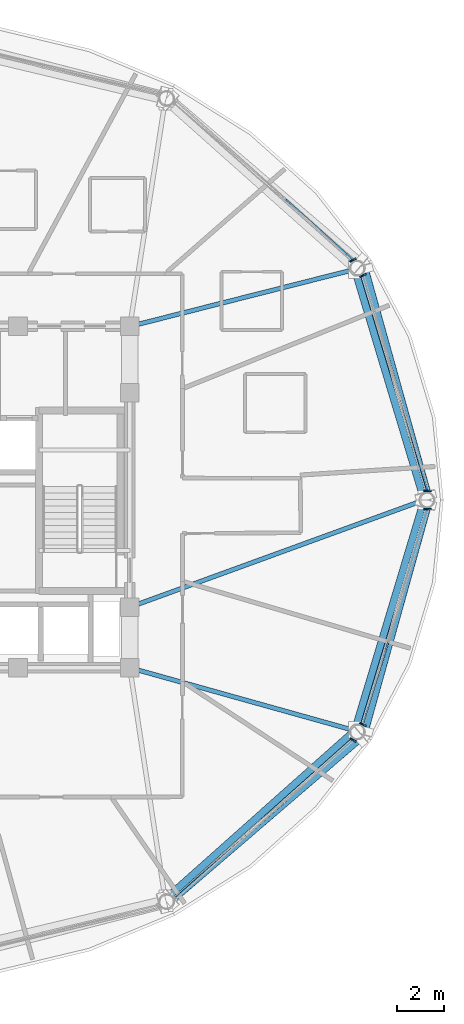
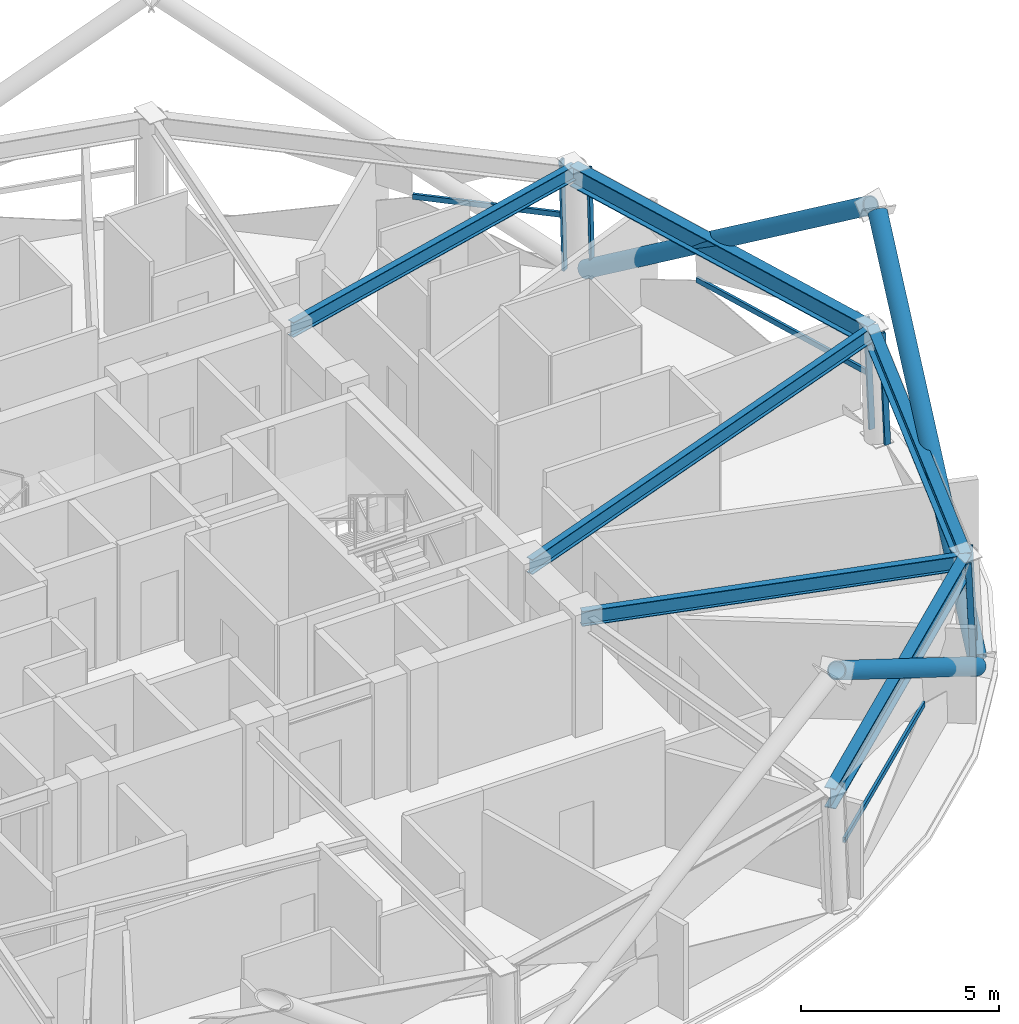
# One storey, part 3 of 14: 13 members, 6 beams, 4 elements without a shape of their own.
"""IFC4 building model written with IfcOpenShell, lengths in metres."""

from ifc_helpers import new_model, si_unit, direction, frame, origin, origin_2d, place, context, subcontext, project, spatial, hollow_rectangle, hollow_circle, i_section, extrude, material, layer, layer_set, material_profile, profile_set, type_object, element, aggregate, save


model = new_model("IFC4")

# Units and contexts
model_context = context("Model", 3, precision=1e-05, world=origin(), true_north=direction((0.0, 1.0)))
body_context = subcontext(model_context, "Body", "Model", "MODEL_VIEW")
ifc_project = project(units=[si_unit("LENGTHUNIT", "METRE"), si_unit("AREAUNIT", "SQUARE_METRE"), si_unit("VOLUMEUNIT", "CUBIC_METRE"), si_unit("PLANEANGLEUNIT", "RADIAN"), si_unit("MASSUNIT", "GRAM", prefix="KILO")], contexts=[model_context])

# Site, building, storey
site_placement = place(None, origin())
site = spatial("IfcSite", under=ifc_project, at=site_placement, CompositionType="ELEMENT")
building_placement = place(site_placement, origin())
building = spatial("IfcBuilding", under=site, at=building_placement, Name="Vantalir Tower", CompositionType="ELEMENT")
storey_placement = place(building_placement, frame((0.0, 0.0, 204.89990234375)))
storey = spatial("IfcBuildingStorey", under=building, at=storey_placement, Name="L51", CompositionType="ELEMENT", Elevation=204.89990234375)

# Beams
ifc_material_1 = material(Name="Steel S355", Category="steel")
ifc_material_profile_1 = material_profile(ifc_material_1, i_section(OverallWidth=0.19189453125, OverallDepth=0.462890625, WebThickness=0.010498046875, FlangeThickness=0.017578125, at=origin_2d()), Name="Steel S355")
ifc_profile_set_1 = profile_set([ifc_material_profile_1], Name="Steel S355")
beam_type_1 = type_object("IfcBeamType", Name="BM-RB-457x191", PredefinedType="BEAM", material=ifc_profile_set_1)
beam_1_placement = place(storey_placement, frame((53.73388671875, 25.0, 3.338134765625), z_axis=(-0.939650196162, -0.342136681535, 0.0), x_axis=(0.342136681535, -0.939650196162, 0.0)))
element("IfcBeam", 1, at=beam_1_placement, inside=storey, type_object=beam_type_1, Name="L51 Radial Floor Beam 01", PredefinedType="BEAM", context=body_context, shape_type="SweptSolid", body=[
    extrude(i_section(OverallWidth=0.19189453125, OverallDepth=0.462890625, WebThickness=0.010498046875, FlangeThickness=0.017578125, at=origin_2d()), origin(), (0.0, 0.0, 1.0), 13.4453125),
])
beam_2_placement = place(storey_placement, frame((50.7548828125, 34.89599609375, 3.338134765625), z_axis=(-0.969373469219, -0.245591280739, 0.0), x_axis=(0.245591280739, -0.969373469219, 0.0)))
element("IfcBeam", 2, at=beam_2_placement, inside=storey, type_object=beam_type_1, Name="L51 Radial Floor Beam 02", PredefinedType="BEAM", context=body_context, shape_type="SweptSolid", body=[
    extrude(i_section(OverallWidth=0.19189453125, OverallDepth=0.462890625, WebThickness=0.010498046875, FlangeThickness=0.017578125, at=origin_2d()), origin(), (0.0, 0.0, 1.0), 9.959716796875),
])
beam_3_placement = place(storey_placement, frame((50.7548828125, 15.10302734375, 3.338134765625), z_axis=(-0.963127495216, 0.269045401296, 0.0), x_axis=(-0.269045401296, -0.963127495216, 0.0)))
element("IfcBeam", 3, at=beam_3_placement, inside=storey, type_object=beam_type_1, Name="L51 Radial Floor Beam 12", PredefinedType="BEAM", context=body_context, shape_type="SweptSolid", body=[
    extrude(i_section(OverallWidth=0.19189453125, OverallDepth=0.462890625, WebThickness=0.010498046875, FlangeThickness=0.017578125, at=origin_2d()), origin(), (0.0, 0.0, 1.0), 10.0244140625),
])
ifc_material_2 = material(Name="Steel S460", Category="steel")
ifc_material_profile_2 = material_profile(ifc_material_2, i_section(OverallWidth=0.306884765625, OverallDepth=0.6201171875, WebThickness=0.01416015625, FlangeThickness=0.023681640625, at=origin_2d()), Name="Steel S460")
ifc_profile_set_2 = profile_set([ifc_material_profile_2], Name="Steel S460")
beam_type_2 = type_object("IfcBeamType", Name="BM-RG-610x305", PredefinedType="USERDEFINED", material=ifc_profile_set_2)
beam_4_placement = place(storey_placement, frame((53.73388671875, 25.0, 3.260009765625), z_axis=(-0.288253684932, 0.957554078433, 0.0), x_axis=(-0.957554078433, -0.288253684932, 0.0)))
element("IfcBeam", 4, at=beam_4_placement, inside=storey, type_object=beam_type_2, Name="L51 Circumferential Ring Girder 01", ObjectType="GIRDER", PredefinedType="USERDEFINED", context=body_context, shape_type="SweptSolid", body=[
    extrude(i_section(OverallWidth=0.306884765625, OverallDepth=0.6201171875, WebThickness=0.01416015625, FlangeThickness=0.023681640625, at=origin_2d()), origin(), (0.0, 0.0, 1.0), 10.334716796875),
])
beam_5_placement = place(storey_placement, frame((42.616943359375, 7.85888671875, 3.260009765625), z_axis=(0.746934381919, 0.664897758387, 0.0), x_axis=(-0.664897758387, 0.746934381919, 0.0)))
element("IfcBeam", 5, at=beam_5_placement, inside=storey, type_object=beam_type_2, Name="L51 Circumferential Ring Girder 11", ObjectType="GIRDER", PredefinedType="USERDEFINED", context=body_context, shape_type="SweptSolid", body=[
    extrude(i_section(OverallWidth=0.306884765625, OverallDepth=0.6201171875, WebThickness=0.01416015625, FlangeThickness=0.023681640625, at=origin_2d()), origin(), (0.0, 0.0, 1.0), 10.89501953125),
])
beam_6_placement = place(storey_placement, frame((50.7548828125, 15.10302734375, 3.260009765625), z_axis=(0.288227605117, 0.957561928884, 0.0), x_axis=(-0.957561928884, 0.288227605117, 0.0)))
element("IfcBeam", 6, at=beam_6_placement, inside=storey, type_object=beam_type_2, Name="L51 Circumferential Ring Girder 12", ObjectType="GIRDER", PredefinedType="USERDEFINED", context=body_context, shape_type="SweptSolid", body=[
    extrude(i_section(OverallWidth=0.306884765625, OverallDepth=0.6201171875, WebThickness=0.01416015625, FlangeThickness=0.023681640625, at=origin_2d()), origin(), (0.0, 0.0, 1.0), 10.335693359375),
])

# Curtain wall, members
ifc_material_3 = material(Name="Champagne-silver PVDF aluminium and double-silver Low-E glass", Category="aluminium")
ifc_layer = layer(ifc_material_3, 0.2099609375)
ifc_layer_set = layer_set([ifc_layer], Name="Champagne-silver PVDF aluminium and double-silver Low-E glass")
curtain_wall_type = type_object("IfcCurtainWallType", Name="CW-DIAMOND-Z3", PredefinedType="USERDEFINED", material=ifc_layer_set)
curtain_wall_1_placement = place(storey_placement, origin())
curtain_wall_1 = element("IfcCurtainWall", 7, at=curtain_wall_1_placement, inside=storey, type_object=curtain_wall_type, Name="L51 Quilted Pyramid-Diamond Curtain Wall S01", ObjectType="UNITISED CURTAIN WALL", PredefinedType="USERDEFINED")
ifc_material_4 = material(Name="Champagne-silver PVDF aluminium 6063-T6", Category="aluminium")
ifc_material_profile_3 = material_profile(ifc_material_4, hollow_rectangle(XDim=0.070068359375, YDim=0.1650390625, WallThickness=0.00390625, at=origin_2d()), Name="Champagne-silver PVDF aluminium 6063-T6")
ifc_profile_set_3 = profile_set([ifc_material_profile_3], Name="Champagne-silver PVDF aluminium 6063-T6")
member_type_1 = type_object("IfcMemberType", Name="CWM-165x70", PredefinedType="MULLION", material=ifc_profile_set_3)
member_1_placement = place(storey_placement, frame((53.9541015625, 25.39306640625, 0.045166015625), z_axis=(-0.042545977798, 0.0, 0.99909450993), x_axis=(0.0, -1.0, 0.0)))
member_1 = element("IfcMember", 8, at=member_1_placement, type_object=member_type_1, Name="CW-L51-S01 Mullion 1", PredefinedType="MULLION", context=body_context, shape_type="SweptSolid", body=[
    extrude(hollow_rectangle(XDim=0.070068359375, YDim=0.1650390625, WallThickness=0.00390625, at=origin_2d()), origin(), (0.0, 0.0, 1.0), 3.483154296875),
])
member_2_placement = place(storey_placement, frame((51.166015625, 34.6650390625, 0.045166015625), z_axis=(-0.036729969978, -0.019276224702, 0.999139297829), x_axis=(0.464701423558, -0.885467439798, 0.0)))
member_2 = element("IfcMember", 9, at=member_2_placement, type_object=member_type_1, Name="CW-L51-S01 Mullion 2", PredefinedType="MULLION", context=body_context, shape_type="SweptSolid", body=[
    extrude(hollow_rectangle(XDim=0.070068359375, YDim=0.1650390625, WallThickness=0.00390625, at=origin_2d()), origin(), (0.0, 0.0, 1.0), 3.48291015625),
])

# Curtain wall, member
curtain_wall_2_placement = place(storey_placement, origin())
curtain_wall_2 = element("IfcCurtainWall", 10, at=curtain_wall_2_placement, inside=storey, type_object=curtain_wall_type, Name="L51 Quilted Pyramid-Diamond Curtain Wall S02", ObjectType="UNITISED CURTAIN WALL", PredefinedType="USERDEFINED")
member_3_placement = place(storey_placement, frame((50.741943359375, 35.3310546875, 0.045166015625), z_axis=(-0.036729969978, -0.019276224702, 0.999139297829), x_axis=(0.464701423558, -0.885467439798, 0.0)))
member_3 = element("IfcMember", 11, at=member_3_placement, type_object=member_type_1, Name="CW-L51-S02 Mullion 1", PredefinedType="MULLION", context=body_context, shape_type="SweptSolid", body=[
    extrude(hollow_rectangle(XDim=0.070068359375, YDim=0.1650390625, WallThickness=0.00390625, at=origin_2d()), origin(), (0.0, 0.0, 1.0), 3.48291015625),
])

curtain_wall_3_placement = place(storey_placement, origin())
curtain_wall_3 = element("IfcCurtainWall", 12, at=curtain_wall_3_placement, inside=storey, type_object=curtain_wall_type, Name="L51 Quilted Pyramid-Diamond Curtain Wall S11", ObjectType="UNITISED CURTAIN WALL", PredefinedType="USERDEFINED")
member_4_placement = place(storey_placement, frame((50.741943359375, 14.6689453125, 0.045166015625), z_axis=(-0.03673016705, 0.018995945173, 0.999144658643), x_axis=(-0.45937680343, -0.888241494454, 0.0)))
member_4 = element("IfcMember", 13, at=member_4_placement, type_object=member_type_1, Name="CW-L51-S11 Mullion 2", PredefinedType="MULLION", context=body_context, shape_type="SweptSolid", body=[
    extrude(hollow_rectangle(XDim=0.070068359375, YDim=0.1650390625, WallThickness=0.00390625, at=origin_2d()), origin(), (0.0, 0.0, 1.0), 3.48291015625),
])

# Curtain wall, members
curtain_wall_4_placement = place(storey_placement, origin())
curtain_wall_4 = element("IfcCurtainWall", 14, at=curtain_wall_4_placement, inside=storey, type_object=curtain_wall_type, Name="L51 Quilted Pyramid-Diamond Curtain Wall S12", ObjectType="UNITISED CURTAIN WALL", PredefinedType="USERDEFINED")
member_5_placement = place(storey_placement, frame((51.166015625, 15.3349609375, 0.045166015625), z_axis=(-0.036730215867, 0.018925874588, 0.999145986587), x_axis=(-0.458037839434, -0.888932695791, 0.0)))
member_5 = element("IfcMember", 15, at=member_5_placement, type_object=member_type_1, Name="CW-L51-S12 Mullion 1", PredefinedType="MULLION", context=body_context, shape_type="SweptSolid", body=[
    extrude(hollow_rectangle(XDim=0.070068359375, YDim=0.1650390625, WallThickness=0.00390625, at=origin_2d()), origin(), (0.0, 0.0, 1.0), 3.48291015625),
])
member_6_placement = place(storey_placement, frame((53.9541015625, 24.60693359375, 0.045166015625), z_axis=(-0.042545977798, 0.0, 0.99909450993), x_axis=(0.0, -1.0, 0.0)))
member_6 = element("IfcMember", 16, at=member_6_placement, type_object=member_type_1, Name="CW-L51-S12 Mullion 2", PredefinedType="MULLION", context=body_context, shape_type="SweptSolid", body=[
    extrude(hollow_rectangle(XDim=0.070068359375, YDim=0.1650390625, WallThickness=0.00390625, at=origin_2d()), origin(), (0.0, 0.0, 1.0), 3.483154296875),
])

# Member
ifc_material_profile_4 = material_profile(ifc_material_4, hollow_rectangle(XDim=0.074951171875, YDim=0.159912109375, WallThickness=0.00390625, at=origin_2d()), Name="Champagne-silver PVDF aluminium 6063-T6")
ifc_profile_set_4 = profile_set([ifc_material_profile_4], Name="Champagne-silver PVDF aluminium 6063-T6")
member_type_2 = type_object("IfcMemberType", Name="CWT-160x75", PredefinedType="USERDEFINED", material=ifc_profile_set_4)
member_7_placement = place(storey_placement, frame((53.8798828125, 25.39306640625, 1.78515625), z_axis=(-0.284050805957, 0.958809230053, 0.0), x_axis=(-0.958809230053, -0.284050805957, 0.0)))
member_7 = element("IfcMember", 17, at=member_7_placement, type_object=member_type_2, Name="CW-L51-S01 Pyramid Fold Ridge Transom", ObjectType="TRANSOM", PredefinedType="USERDEFINED", context=body_context, shape_type="SweptSolid", body=[
    extrude(hollow_rectangle(XDim=0.074951171875, YDim=0.159912109375, WallThickness=0.00390625, at=origin_2d()), origin(), (0.0, 0.0, 1.0), 5.981201171875),
])

aggregate(curtain_wall_1, [member_1, member_2, member_7])

member_8_placement = place(storey_placement, frame((50.677978515625, 35.297119140625, 1.78515625), z_axis=(-0.742548222885, 0.669792607223, 0.0), x_axis=(-0.669792607223, -0.742548222885, 0.0)))
member_8 = element("IfcMember", 18, at=member_8_placement, type_object=member_type_2, Name="CW-L51-S02 Pyramid Fold Ridge Transom", ObjectType="TRANSOM", PredefinedType="USERDEFINED", context=body_context, shape_type="SweptSolid", body=[
    extrude(hollow_rectangle(XDim=0.074951171875, YDim=0.159912109375, WallThickness=0.00390625, at=origin_2d()), origin(), (0.0, 0.0, 1.0), 3.875732421875),
])

aggregate(curtain_wall_2, [member_3, member_8])

member_9_placement = place(storey_placement, frame((43.054931640625, 7.909912109375, 1.78515625), z_axis=(0.749118671403, 0.662435820405, 0.0), x_axis=(-0.662435820405, 0.749118671403, 0.0)))
member_9 = element("IfcMember", 19, at=member_9_placement, type_object=member_type_2, Name="CW-L51-S11 Pyramid Fold Ridge Transom", ObjectType="TRANSOM", PredefinedType="USERDEFINED", context=body_context, shape_type="SweptSolid", body=[
    extrude(hollow_rectangle(XDim=0.074951171875, YDim=0.159912109375, WallThickness=0.00390625, at=origin_2d()), origin(), (0.0, 0.0, 1.0), 6.334228515625),
])

aggregate(curtain_wall_3, [member_4, member_9])

member_10_placement = place(storey_placement, frame((51.10205078125, 15.367919921875, 1.78515625), z_axis=(0.294249613472, 0.955728604245, 0.0), x_axis=(-0.955728604245, 0.294249613472, 0.0)))
member_10 = element("IfcMember", 20, at=member_10_placement, type_object=member_type_2, Name="CW-L51-S12 Pyramid Fold Ridge Transom", ObjectType="TRANSOM", PredefinedType="USERDEFINED", context=body_context, shape_type="SweptSolid", body=[
    extrude(hollow_rectangle(XDim=0.074951171875, YDim=0.159912109375, WallThickness=0.00390625, at=origin_2d()), origin(), (0.0, 0.0, 1.0), 3.66650390625),
])

aggregate(curtain_wall_4, [member_5, member_6, member_10])

# Members
ifc_material_profile_5 = material_profile(ifc_material_2, hollow_circle(Radius=0.25, WallThickness=0.031982421875, at=origin_2d()), Name="Steel S460")
ifc_profile_set_5 = profile_set([ifc_material_profile_5], Name="Steel S460")
member_type_3 = type_object("IfcMemberType", Name="MEM-DB-500x32", PredefinedType="BRACE", material=ifc_profile_set_5)
for number, where, z_axis, x_axis, name in (
    (21, (51.096923828125, 34.883056640625, 0.2041015625), (0.221356136118, -0.794404819186, 0.565616870556), (0.963302414777, 0.268418437676, 0.0), "L51 Perimeter S460 Diagrid Brace R04R"),
    (22, (51.096923828125, 15.116943359375, 0.2041015625), (0.221356136118, 0.794404819186, 0.565616870556), (-0.963302414777, 0.268418437676, 0.0), "L51 Perimeter S460 Diagrid Brace R34L"),
):
    element("IfcMember", number, at=place(storey_placement, frame(where, z_axis=z_axis, x_axis=x_axis)), inside=storey, type_object=member_type_3, Name=name, PredefinedType="BRACE", context=body_context, shape_type="SweptSolid", body=[
        extrude(hollow_circle(Radius=0.25, WallThickness=0.031982421875, at=origin_2d()), origin(), (0.0, 0.0, 1.0), 12.220458984375),
    ])
member_11_placement = place(storey_placement, frame((50.907958984375, 14.822021484375, 0.2001953125), z_axis=(-0.636396012755, -0.546653518755, 0.544215072726), x_axis=(0.651595797808, -0.758566355884, 0.0)))
element("IfcMember", 23, at=member_11_placement, inside=storey, type_object=member_type_3, Name="L51 Perimeter S460 Diagrid Brace R34R", PredefinedType="BRACE", context=body_context, shape_type="SweptSolid", body=[
    extrude(hollow_circle(Radius=0.25, WallThickness=0.031982421875, at=origin_2d()), origin(), (0.0, 0.0, 1.0), 12.71533203125),
])

save(model, "model.ifc")
